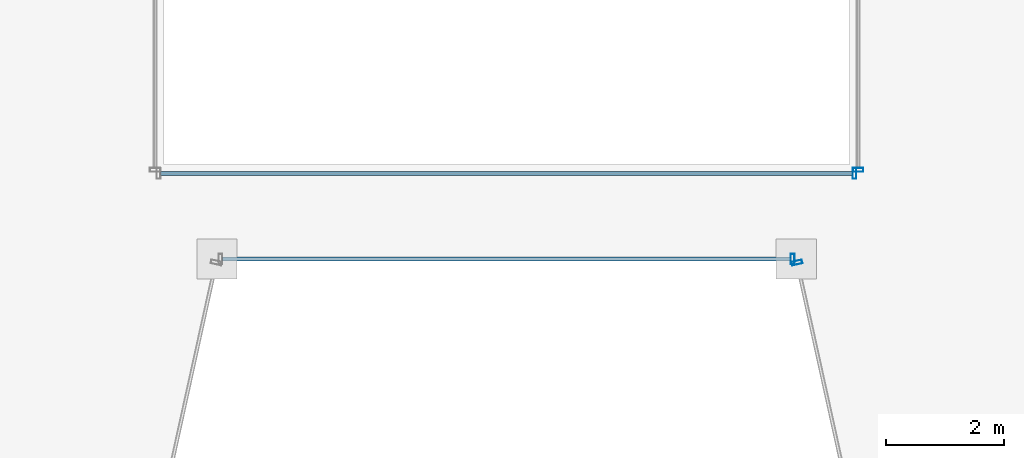
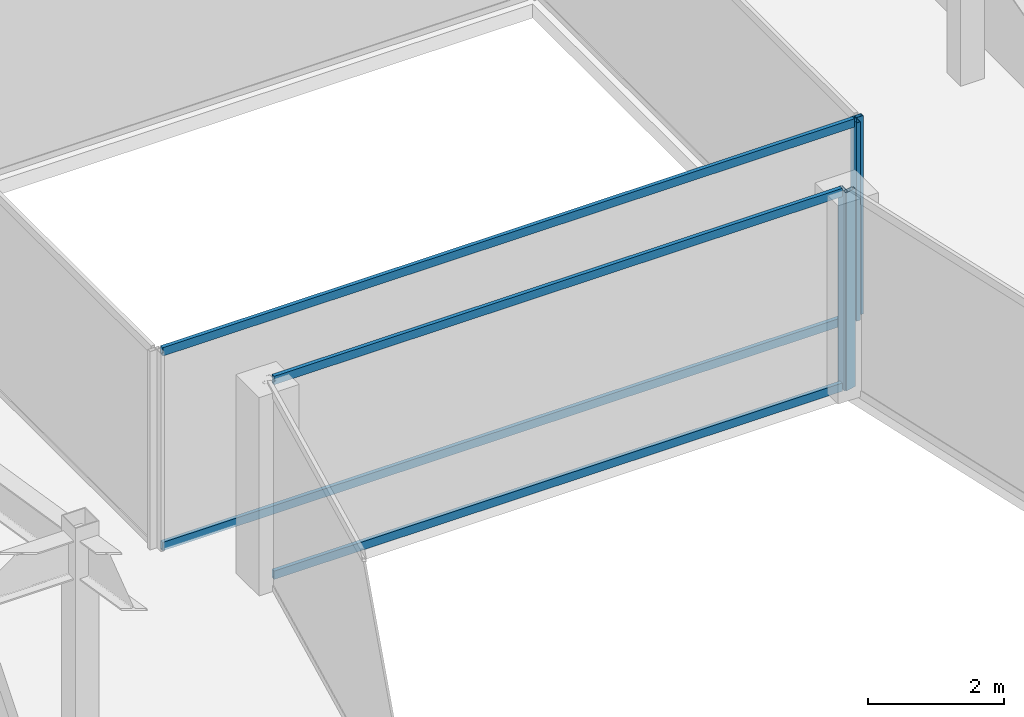
# One storey, part 8 of 36: 8 members, 4 elements without a shape of their own.
"""IFC4 building model written with IfcOpenShell, lengths in metres."""

from ifc_helpers import new_model, si_unit, direction, frame, origin, origin_2d, place, context, subcontext, project, spatial, hollow_rectangle, extrude, material, material_profile, profile_set, type_object, element, aggregate, save


model = new_model("IFC4")

# Units and contexts
model_context = context("Model", 3, precision=1e-05, world=origin(), true_north=direction((0.0, 1.0)))
body_context = subcontext(model_context, "Body", "Model", "MODEL_VIEW")
ifc_project = project(units=[si_unit("LENGTHUNIT", "METRE"), si_unit("AREAUNIT", "SQUARE_METRE"), si_unit("VOLUMEUNIT", "CUBIC_METRE"), si_unit("PLANEANGLEUNIT", "RADIAN"), si_unit("MASSUNIT", "GRAM", prefix="KILO")], contexts=[model_context])

# Site, building, storey
site_placement = place(None, origin())
site = spatial("IfcSite", under=ifc_project, at=site_placement, CompositionType="ELEMENT")
building_placement = place(site_placement, origin())
building = spatial("IfcBuilding", under=site, at=building_placement, Name="Saevonmaru Cultural Tower", CompositionType="ELEMENT")
storey_placement = place(building_placement, frame((0.0, 0.0, 182.800048828125)))
storey = spatial("IfcBuildingStorey", under=building, at=storey_placement, Name="L41", CompositionType="ELEMENT", Elevation=182.800048828125)

# Curtain wall, member
ifc_material = material(Name="Satin Bronze Anodised Aluminium", Category="aluminium")
curtain_wall_type_1 = type_object("IfcCurtainWallType", Name="CW-TYP-B", PredefinedType="NOTDEFINED", material=ifc_material)
curtain_wall_1_placement = place(storey_placement, origin())
curtain_wall_1 = element("IfcCurtainWall", 1, at=curtain_wall_1_placement, inside=storey, type_object=curtain_wall_type_1, Name="L41 Unitised Curtain Wall E4", PredefinedType="NOTDEFINED")
ifc_material_profile_1 = material_profile(ifc_material, hollow_rectangle(XDim=0.06494140625, YDim=0.179931640625, WallThickness=0.00390625, at=origin_2d()), Name="ALU-MULL-180x65x4")
ifc_profile_set_1 = profile_set([ifc_material_profile_1], Name="Satin Bronze Anodised Aluminium")
member_type_1 = type_object("IfcMemberType", Name="ML-CW-180x65", PredefinedType="MULLION", material=ifc_profile_set_1)
member_1_placement = place(storey_placement, frame((34.84228515625, 26.0, 0.0), z_axis=(0.0, 0.0, 1.0), x_axis=(1.0, 0.0, 0.0)))
member_1 = element("IfcMember", 2, at=member_1_placement, type_object=member_type_1, Name="CW-TW-L41-E4 mullion 2", PredefinedType="MULLION", context=body_context, shape_type="SweptSolid", body=[
    extrude(hollow_rectangle(XDim=0.06494140625, YDim=0.179931640625, WallThickness=0.00390625, at=origin_2d()), origin(), (0.0, 0.0, 1.0), 3.550048828125),
])

curtain_wall_2_placement = place(storey_placement, origin())
curtain_wall_2 = element("IfcCurtainWall", 3, at=curtain_wall_2_placement, inside=storey, type_object=curtain_wall_type_1, Name="L41 Unitised Curtain Wall E5", PredefinedType="NOTDEFINED")
member_2_placement = place(storey_placement, frame((34.9150390625, 25.94140625, 0.0), z_axis=(0.0, 0.0, 1.0), x_axis=(0.215413319953, -0.976522965212, 0.0)))
member_2 = element("IfcMember", 4, at=member_2_placement, type_object=member_type_1, Name="CW-TW-L41-E5 mullion 1", PredefinedType="MULLION", context=body_context, shape_type="SweptSolid", body=[
    extrude(hollow_rectangle(XDim=0.06494140625, YDim=0.179931640625, WallThickness=0.00390625, at=origin_2d()), origin(), (0.0, 0.0, 1.0), 3.550048828125),
])
aggregate(curtain_wall_2, [member_2])

curtain_wall_type_2 = type_object("IfcCurtainWallType", Name="CW-ATR-GLZ", PredefinedType="NOTDEFINED", material=ifc_material)
curtain_wall_3_placement = place(storey_placement, origin())
curtain_wall_3 = element("IfcCurtainWall", 5, at=curtain_wall_3_placement, inside=storey, type_object=curtain_wall_type_2, Name="L41 Vertical Atrium Glazed Smoke Screen 1", PredefinedType="NOTDEFINED")
ifc_material_profile_2 = material_profile(ifc_material, hollow_rectangle(XDim=0.06494140625, YDim=0.179931640625, WallThickness=0.00390625, at=origin_2d()), Name="ALU-MULL-180x65x4")
ifc_profile_set_2 = profile_set([ifc_material_profile_2], Name="Satin Bronze Anodised Aluminium")
member_type_2 = type_object("IfcMemberType", Name="ML-CW-INT-180x65", PredefinedType="MULLION", material=ifc_profile_set_2)
member_3_placement = place(storey_placement, frame((35.889892578125, 27.449951171875, 0.0), z_axis=(0.0, 0.0, 1.0), x_axis=(1.0, 0.0, 0.0)))
member_3 = element("IfcMember", 6, at=member_3_placement, type_object=member_type_2, Name="CW-ATR-L41-1 mullion 2", PredefinedType="MULLION", context=body_context, shape_type="SweptSolid", body=[
    extrude(hollow_rectangle(XDim=0.06494140625, YDim=0.179931640625, WallThickness=0.00390625, at=origin_2d()), origin(), (0.0, 0.0, 1.0), 3.550048828125),
])

curtain_wall_4_placement = place(storey_placement, origin())
curtain_wall_4 = element("IfcCurtainWall", 7, at=curtain_wall_4_placement, inside=storey, type_object=curtain_wall_type_2, Name="L41 Vertical Atrium Glazed Smoke Screen 2", PredefinedType="NOTDEFINED")
member_4_placement = place(storey_placement, frame((35.949951171875, 27.510009765625, 0.0), z_axis=(0.0, 0.0, 1.0), x_axis=(0.0, 1.0, 0.0)))
member_4 = element("IfcMember", 8, at=member_4_placement, type_object=member_type_2, Name="CW-ATR-L41-2 mullion 1", PredefinedType="MULLION", context=body_context, shape_type="SweptSolid", body=[
    extrude(hollow_rectangle(XDim=0.06494140625, YDim=0.179931640625, WallThickness=0.00390625, at=origin_2d()), origin(), (0.0, 0.0, 1.0), 3.550048828125),
])
aggregate(curtain_wall_4, [member_4])

# Member
ifc_material_profile_3 = material_profile(ifc_material, hollow_rectangle(XDim=0.06494140625, YDim=0.14990234375, WallThickness=0.00390625, at=origin_2d()), Name="ALU-TRAN-150x65x4")
ifc_profile_set_3 = profile_set([ifc_material_profile_3], Name="Satin Bronze Anodised Aluminium")
member_type_3 = type_object("IfcMemberType", Name="TR-CW-150x65", PredefinedType="USERDEFINED", material=ifc_profile_set_3)
member_5_placement = place(storey_placement, frame((25.190185546875, 26.0, 0.032470703125), z_axis=(1.0, 0.0, 0.0), x_axis=(0.0, 1.0, 0.0)))
member_5 = element("IfcMember", 9, at=member_5_placement, type_object=member_type_3, Name="CW-TW-L41-E4 transom 1.1", ObjectType="TRANSOM", PredefinedType="USERDEFINED", context=body_context, shape_type="SweptSolid", body=[
    extrude(hollow_rectangle(XDim=0.06494140625, YDim=0.14990234375, WallThickness=0.00390625, at=origin_2d()), origin(), (0.0, 0.0, 1.0), 9.61962890625),
])

member_6_placement = place(storey_placement, frame((25.190185546875, 26.0, 3.517333984375), z_axis=(1.0, 0.0, 0.0), x_axis=(0.0, 1.0, 0.0)))
member_6 = element("IfcMember", 10, at=member_6_placement, type_object=member_type_3, Name="CW-TW-L41-E4 transom 1.2", ObjectType="TRANSOM", PredefinedType="USERDEFINED", context=body_context, shape_type="SweptSolid", body=[
    extrude(hollow_rectangle(XDim=0.06494140625, YDim=0.14990234375, WallThickness=0.00390625, at=origin_2d()), origin(), (0.0, 0.0, 1.0), 9.61962890625),
])

aggregate(curtain_wall_1, [member_1, member_5, member_6])

ifc_material_profile_4 = material_profile(ifc_material, hollow_rectangle(XDim=0.06494140625, YDim=0.14990234375, WallThickness=0.00390625, at=origin_2d()), Name="ALU-TRAN-150x65x4")
ifc_profile_set_4 = profile_set([ifc_material_profile_4], Name="Satin Bronze Anodised Aluminium")
member_type_4 = type_object("IfcMemberType", Name="TR-CW-INT-150x65", PredefinedType="USERDEFINED", material=ifc_profile_set_4)
member_7_placement = place(storey_placement, frame((24.142578125, 27.449951171875, 0.032470703125), z_axis=(1.0, 0.0, 0.0), x_axis=(0.0, 1.0, 0.0)))
member_7 = element("IfcMember", 11, at=member_7_placement, type_object=member_type_4, Name="CW-ATR-L41-1 transom 1.1", ObjectType="TRANSOM", PredefinedType="USERDEFINED", context=body_context, shape_type="SweptSolid", body=[
    extrude(hollow_rectangle(XDim=0.06494140625, YDim=0.14990234375, WallThickness=0.00390625, at=origin_2d()), origin(), (0.0, 0.0, 1.0), 11.71484375),
])

member_8_placement = place(storey_placement, frame((24.142578125, 27.449951171875, 3.517333984375), z_axis=(1.0, 0.0, 0.0), x_axis=(0.0, 1.0, 0.0)))
member_8 = element("IfcMember", 12, at=member_8_placement, type_object=member_type_4, Name="CW-ATR-L41-1 transom 1.2", ObjectType="TRANSOM", PredefinedType="USERDEFINED", context=body_context, shape_type="SweptSolid", body=[
    extrude(hollow_rectangle(XDim=0.06494140625, YDim=0.14990234375, WallThickness=0.00390625, at=origin_2d()), origin(), (0.0, 0.0, 1.0), 11.71484375),
])

aggregate(curtain_wall_3, [member_3, member_7, member_8])

save(model, "model.ifc")
